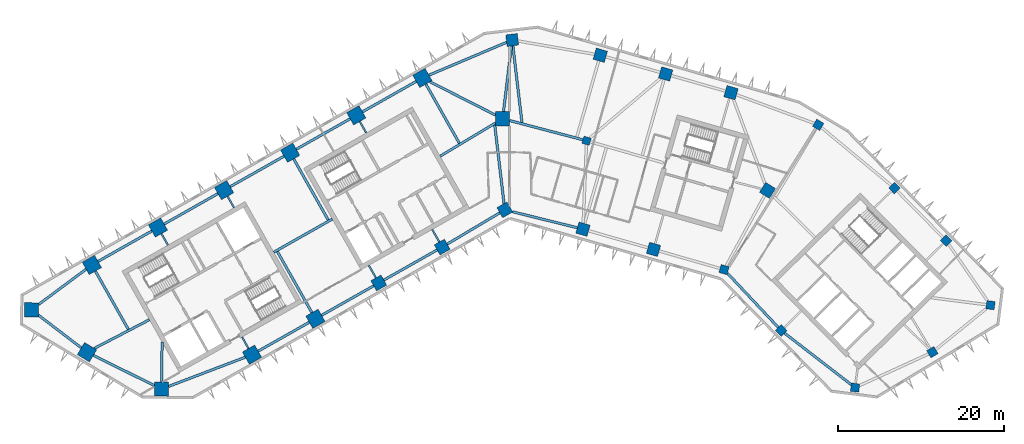
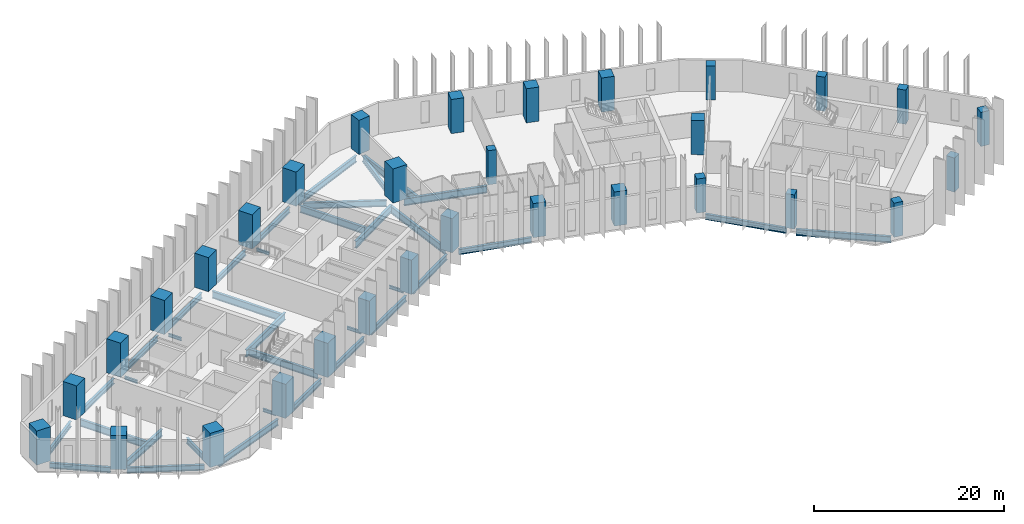
# One storey, part 1 of 11: 36 beams, 31 columns.
"""IFC4 building model written with IfcOpenShell, lengths in metres."""

from ifc_helpers import new_model, si_unit, direction, frame, origin, origin_2d, place, context, subcontext, project, spatial, rectangle, i_section, extrude, material, material_profile, profile_set, type_object, element, save


model = new_model("IFC4")

# Units and contexts
model_context = context("Model", 3, precision=1e-05, world=origin(), true_north=direction((0.0, 1.0)))
body_context = subcontext(model_context, "Body", "Model", "MODEL_VIEW")
ifc_project = project(units=[si_unit("LENGTHUNIT", "METRE"), si_unit("AREAUNIT", "SQUARE_METRE"), si_unit("VOLUMEUNIT", "CUBIC_METRE"), si_unit("PLANEANGLEUNIT", "RADIAN"), si_unit("MASSUNIT", "GRAM", prefix="KILO")], contexts=[model_context])

# Site, building, storey
site_placement = place(None, origin())
site = spatial("IfcSite", under=ifc_project, at=site_placement, CompositionType="ELEMENT")
building_placement = place(site_placement, origin())
building = spatial("IfcBuilding", under=site, at=building_placement, Name="Binnacle Exchange Tower", CompositionType="ELEMENT")
storey_placement = place(building_placement, frame((0.0, 0.0, 141.10009765625)))
storey = spatial("IfcBuildingStorey", under=building, at=storey_placement, Name="L29", CompositionType="ELEMENT", Elevation=141.10009765625)

# Columns
ifc_material_1 = material(Name="Concrete C60/75", Category="concrete")
ifc_material_profile_1 = material_profile(ifc_material_1, rectangle(XDim=0.89990234375, YDim=0.89990234375, at=origin_2d()), Name="Column 900x900 C60/75")
ifc_profile_set_1 = profile_set([ifc_material_profile_1], Name="Concrete C60/75")
column_type_1 = type_object("IfcColumnType", Name="Column 900x900 C60/75", PredefinedType="COLUMN", material=ifc_profile_set_1)
column_placement = place(storey_placement, frame((9.240966796875, 57.35009765625, 0.0), z_axis=(0.0, 0.0, 1.0), x_axis=(0.961261695938, -0.275637355817, 0.0)))
element("IfcColumn", 1, at=column_placement, inside=storey, type_object=column_type_1, Name="S:COL:C19:L29", PredefinedType="COLUMN", context=body_context, shape_type="SweptSolid", body=[
    extrude(rectangle(XDim=0.89990234375, YDim=0.89990234375, at=origin_2d()), origin(), (0.0, 0.0, 1.0), 4.39990234375),
])
ifc_material_2 = material(Name="Concrete C70/85", Category="concrete")
ifc_material_profile_2 = material_profile(ifc_material_2, rectangle(XDim=1.0, YDim=1.0, at=origin_2d()), Name="Mega column 1000x1000 C70/85")
ifc_profile_set_2 = profile_set([ifc_material_profile_2], Name="Concrete C70/85")
column_type_2 = type_object("IfcColumnType", Name="Mega column 1000x1000 C70/85", PredefinedType="COLUMN", material=ifc_profile_set_2)
for number, where, z_axis, x_axis, name in (
    (2, (37.0849609375, 59.262451171875, 0.0), (0.0, 0.0, 1.0), (-0.859406411501, 0.511293086077, 0.0), "S:COL:MC57:L29"),
    (3, (25.766845703125, 41.85986328125, 0.0), (0.0, 0.0, 1.0), (0.961261695938, -0.275637355817, 0.0), "S:COL:MC56:L29"),
    (4, (32.64111328125, 34.530029296875, 0.0), (0.0, 0.0, 1.0), (0.7009092643, -0.713250449154, 0.0), "S:COL:MC59:L29"),
    (5, (41.519775390625, 27.6748046875, 0.0), (0.0, 0.0, 1.0), (0.99200494968, -0.126198969136, 0.0), "S:COL:MC61:L29"),
    (6, (50.81201171875, 31.930908203125, 0.0), (0.0, 0.0, 1.0), (0.857167300702, 0.51503807491, 0.0), "S:COL:MC63:L29"),
    (7, (57.799072265625, 37.5810546875, 0.0), (0.0, 0.0, 1.0), (0.126198969136, 0.99200494968, 0.0), "S:COL:MC62:L29"),
    (8, (52.466796875, 45.33935546875, 0.0), (0.0, 0.0, 1.0), (-0.7009092643, 0.713250449154, 0.0), "S:COL:MC60:L29"),
    (9, (46.248291015625, 51.667236328125, 0.0), (0.0, 0.0, 1.0), (-0.7009092643, 0.713250449154, 0.0), "S:COL:MC58:L29"),
):
    element("IfcColumn", number, at=place(storey_placement, frame(where, z_axis=z_axis, x_axis=x_axis)), inside=storey, type_object=column_type_2, Name=name, PredefinedType="COLUMN", context=body_context, shape_type="SweptSolid", body=[
        extrude(rectangle(XDim=1.0, YDim=1.0, at=origin_2d()), origin(), (0.0, 0.0, 1.0), 4.39990234375),
    ])
ifc_material_profile_3 = material_profile(ifc_material_2, rectangle(XDim=1.39990234375, YDim=1.39990234375, at=origin_2d()), Name="Mega column 1400x1400 C70/85")
ifc_profile_set_3 = profile_set([ifc_material_profile_3], Name="Concrete C70/85")
column_type_3 = type_object("IfcColumnType", Name="Mega column 1400x1400 C70/85", PredefinedType="COLUMN", material=ifc_profile_set_3)
for number, where, z_axis, x_axis, name in (
    (10, (26.602783203125, 63.12353515625, 0.0), (0.0, 0.0, 1.0), (-0.961261695938, 0.275637355817, 0.0), "S:COL:MC52:L29"),
    (11, (18.746337890625, 65.376220703125, 0.0), (0.0, 0.0, 1.0), (-0.961261695938, 0.275637355817, 0.0), "S:COL:MC50:L29"),
    (12, (10.889892578125, 67.62890625, 0.0), (0.0, 0.0, 1.0), (-0.961261695938, 0.275637355817, 0.0), "S:COL:MC48:L29"),
    (13, (0.300048828125, 69.464111328125, 0.0), (0.0, 0.0, 1.0), (-0.993068456955, -0.117537397458, 0.0), "S:COL:MC47:L29"),
    (14, (-15.736328125, 40.257080078125, 0.0), (0.0, 0.0, 1.0), (0.87035569594, 0.492423560103, 0.0), "S:COL:MC24:L29"),
    (15, (-8.116943359375, 44.568115234375, 0.0), (0.0, 0.0, 1.0), (0.87035569594, 0.492423560103, 0.0), "S:COL:MC35:L29"),
    (16, (-0.5908203125, 49.04443359375, 0.0), (0.0, 0.0, 1.0), (0.87035569594, 0.492423560103, 0.0), "S:COL:MC46:L29"),
    (17, (8.8095703125, 46.722412109375, 0.0), (0.0, 0.0, 1.0), (0.961261695938, -0.275637355817, 0.0), "S:COL:MC49:L29"),
    (18, (17.2880859375, 44.291015625, 0.0), (0.0, 0.0, 1.0), (0.961261695938, -0.275637355817, 0.0), "S:COL:MC51:L29"),
    (19, (30.989501953125, 51.38623046875, 0.0), (0.0, 0.0, 1.0), (0.529919264233, 0.848048096156, 0.0), "S:COL:MC55:L29"),
):
    element("IfcColumn", number, at=place(storey_placement, frame(where, z_axis=z_axis, x_axis=x_axis)), inside=storey, type_object=column_type_3, Name=name, PredefinedType="COLUMN", context=body_context, shape_type="SweptSolid", body=[
        extrude(rectangle(XDim=1.39990234375, YDim=1.39990234375, at=origin_2d()), origin(), (0.0, 0.0, 1.0), 4.39990234375),
    ])
ifc_material_profile_4 = material_profile(ifc_material_2, rectangle(XDim=1.699951171875, YDim=1.699951171875, at=origin_2d()), Name="Mega column 1700x1700 C70/85")
ifc_profile_set_4 = profile_set([ifc_material_profile_4], Name="Concrete C70/85")
column_type_4 = type_object("IfcColumnType", Name="Mega column 1700x1700 C70/85", PredefinedType="COLUMN", material=ifc_profile_set_4)
for number, where, z_axis, x_axis, name in (
    (20, (-10.4951171875, 64.901611328125, 0.0), (0.0, 0.0, 1.0), (-0.87035569594, -0.492423560103, 0.0), "S:COL:MC38:L29"),
    (21, (-18.44140625, 60.406005859375, 0.0), (0.0, 0.0, 1.0), (-0.87035569594, -0.492423560103, 0.0), "S:COL:MC29:L29"),
    (22, (-26.3876953125, 55.91015625, 0.0), (0.0, 0.0, 1.0), (-0.87035569594, -0.492423560103, 0.0), "S:COL:MC21:L29"),
    (23, (-34.333740234375, 51.414306640625, 0.0), (0.0, 0.0, 1.0), (-0.87035569594, -0.492423560103, 0.0), "S:COL:MC13:L29"),
    (24, (-42.280029296875, 46.918701171875, 0.0), (0.0, 0.0, 1.0), (-0.87035569594, -0.492423560103, 0.0), "S:COL:MC08:L29"),
    (25, (-50.226318359375, 42.4228515625, 0.0), (0.0, 0.0, 1.0), (-0.87035569594, -0.492423560103, 0.0), "S:COL:MC04:L29"),
    (26, (-57.492919921875, 37.02734375, 0.0), (0.0, 0.0, 1.0), (-0.013089595571, -0.999914327574, 0.0), "S:COL:MC02:L29"),
    (27, (-50.81201171875, 31.930908203125, 0.0), (0.0, 0.0, 1.0), (0.857167300702, -0.51503807491, 0.0), "S:COL:MC01:L29"),
    (28, (-41.857666015625, 27.494873046875, 0.0), (0.0, 0.0, 1.0), (0.999914327574, -0.013089595571, 0.0), "S:COL:MC03:L29"),
    (29, (-30.9755859375, 31.63525390625, 0.0), (0.0, 0.0, 1.0), (0.87035569594, 0.492423560103, 0.0), "S:COL:MC07:L29"),
    (30, (-23.35595703125, 35.9462890625, 0.0), (0.0, 0.0, 1.0), (0.87035569594, 0.492423560103, 0.0), "S:COL:MC16:L29"),
    (31, (-0.85009765625, 60.0, 0.0), (0.0, 0.0, 1.0), (0.0, 1.0, 0.0), "S:COL:MC45:L29"),
):
    element("IfcColumn", number, at=place(storey_placement, frame(where, z_axis=z_axis, x_axis=x_axis)), inside=storey, type_object=column_type_4, Name=name, PredefinedType="COLUMN", context=body_context, shape_type="SweptSolid", body=[
        extrude(rectangle(XDim=1.699951171875, YDim=1.699951171875, at=origin_2d()), origin(), (0.0, 0.0, 1.0), 4.39990234375),
    ])

# Beams
ifc_material_3 = material(Name="Steel S355 (SHN355)", Category="steel")
ifc_material_profile_5 = material_profile(ifc_material_3, i_section(OverallWidth=0.300048828125, OverallDepth=0.699951171875, WebThickness=0.012939453125, FlangeThickness=0.02392578125, FilletRadius=0.028076171875, at=origin_2d()), Name="H 700x300x13x24")
ifc_profile_set_5 = profile_set([ifc_material_profile_5], Name="Steel S355 (SHN355)")
beam_type_1 = type_object("IfcBeamType", Name="Edge girder H 700x300x13x24 Steel S355 (SHN355)", PredefinedType="SPANDREL", material=ifc_profile_set_5)
beam_1_placement = place(storey_placement, frame((-56.6513671875, 36.38525390625, -0.670166015625), z_axis=(0.795093040263, -0.606487474994, 0.0), x_axis=(0.606487474994, 0.795093040263, 0.0)))
element("IfcBeam", 32, at=beam_1_placement, inside=storey, type_object=beam_type_1, Name="S:BM:edge:L29:015", PredefinedType="SPANDREL", context=body_context, shape_type="SweptSolid", body=[
    extrude(i_section(OverallWidth=0.300048828125, OverallDepth=0.699951171875, WebThickness=0.012939453125, FlangeThickness=0.02392578125, FilletRadius=0.028076171875, at=origin_2d()), origin(), (0.0, 0.0, 1.0), 6.489013671875),
])
beam_2_placement = place(storey_placement, frame((-50.913818359375, 41.912353515625, -0.670166015625), z_axis=(-0.80288535334, -0.59613346609, 0.0), x_axis=(0.59613346609, -0.80288535334, 0.0)))
element("IfcBeam", 33, at=beam_2_placement, inside=storey, type_object=beam_type_1, Name="S:BM:edge:L29:016", PredefinedType="SPANDREL", context=body_context, shape_type="SweptSolid", body=[
    extrude(i_section(OverallWidth=0.300048828125, OverallDepth=0.699951171875, WebThickness=0.012939453125, FlangeThickness=0.02392578125, FilletRadius=0.028076171875, at=origin_2d()), origin(), (0.0, 0.0, 1.0), 7.125244140625),
])
beam_3_placement = place(storey_placement, frame((-43.019775390625, 46.5, -0.670166015625), z_axis=(-0.870364477798, -0.492408037898, 0.0), x_axis=(0.492408037898, -0.870364477798, 0.0)))
element("IfcBeam", 34, at=beam_3_placement, inside=storey, type_object=beam_type_1, Name="S:BM:edge:L29:018", PredefinedType="SPANDREL", context=body_context, shape_type="SweptSolid", body=[
    extrude(i_section(OverallWidth=0.300048828125, OverallDepth=0.699951171875, WebThickness=0.012939453125, FlangeThickness=0.02392578125, FilletRadius=0.028076171875, at=origin_2d()), origin(), (0.0, 0.0, 1.0), 7.4296875),
])
beam_4_placement = place(storey_placement, frame((-35.073486328125, 50.995849609375, -0.670166015625), z_axis=(-0.870372444894, -0.492393955253, 0.0), x_axis=(0.492393955253, -0.870372444894, 0.0)))
element("IfcBeam", 35, at=beam_4_placement, inside=storey, type_object=beam_type_1, Name="S:BM:edge:L29:020", PredefinedType="SPANDREL", context=body_context, shape_type="SweptSolid", body=[
    extrude(i_section(OverallWidth=0.300048828125, OverallDepth=0.699951171875, WebThickness=0.012939453125, FlangeThickness=0.02392578125, FilletRadius=0.028076171875, at=origin_2d()), origin(), (0.0, 0.0, 1.0), 7.429931640625),
])
beam_5_placement = place(storey_placement, frame((-30.23583984375, 32.053955078125, -0.670166015625), z_axis=(0.870373276953, 0.492392484473, 0.0), x_axis=(-0.492392484473, 0.870373276953, 0.0)))
element("IfcBeam", 36, at=beam_5_placement, inside=storey, type_object=beam_type_1, Name="S:BM:edge:L29:021", PredefinedType="SPANDREL", context=body_context, shape_type="SweptSolid", body=[
    extrude(i_section(OverallWidth=0.300048828125, OverallDepth=0.699951171875, WebThickness=0.012939453125, FlangeThickness=0.02392578125, FilletRadius=0.028076171875, at=origin_2d()), origin(), (0.0, 0.0, 1.0), 7.0546875),
])
beam_6_placement = place(storey_placement, frame((-27.12744140625, 55.49169921875, -0.670166015625), z_axis=(-0.870350394687, -0.492432929919, 0.0), x_axis=(0.492432929919, -0.870350394687, 0.0)))
element("IfcBeam", 37, at=beam_6_placement, inside=storey, type_object=beam_type_1, Name="S:BM:edge:L29:022", PredefinedType="SPANDREL", context=body_context, shape_type="SweptSolid", body=[
    extrude(i_section(OverallWidth=0.300048828125, OverallDepth=0.699951171875, WebThickness=0.012939453125, FlangeThickness=0.02392578125, FilletRadius=0.028076171875, at=origin_2d()), origin(), (0.0, 0.0, 1.0), 7.429931640625),
])
beam_7_placement = place(storey_placement, frame((-22.6162109375, 36.36474609375, -0.670166015625), z_axis=(0.870345646157, 0.492441322612, 0.0), x_axis=(-0.492441322612, 0.870345646157, 0.0)))
element("IfcBeam", 38, at=beam_7_placement, inside=storey, type_object=beam_type_1, Name="S:BM:edge:L29:023", PredefinedType="SPANDREL", context=body_context, shape_type="SweptSolid", body=[
    extrude(i_section(OverallWidth=0.300048828125, OverallDepth=0.699951171875, WebThickness=0.012939453125, FlangeThickness=0.02392578125, FilletRadius=0.028076171875, at=origin_2d()), origin(), (0.0, 0.0, 1.0), 7.20458984375),
])
beam_8_placement = place(storey_placement, frame((-19.18115234375, 59.9873046875, -0.670166015625), z_axis=(-0.870364477798, -0.492408037898, 0.0), x_axis=(0.492408037898, -0.870364477798, 0.0)))
element("IfcBeam", 39, at=beam_8_placement, inside=storey, type_object=beam_type_1, Name="S:BM:edge:L29:024", PredefinedType="SPANDREL", context=body_context, shape_type="SweptSolid", body=[
    extrude(i_section(OverallWidth=0.300048828125, OverallDepth=0.699951171875, WebThickness=0.012939453125, FlangeThickness=0.02392578125, FilletRadius=0.028076171875, at=origin_2d()), origin(), (0.0, 0.0, 1.0), 7.4296875),
])
beam_9_placement = place(storey_placement, frame((-15.127197265625, 40.601806640625, -0.670166015625), z_axis=(0.870355645737, 0.492423648837, 0.0), x_axis=(-0.492423648837, 0.870355645737, 0.0)))
element("IfcBeam", 40, at=beam_9_placement, inside=storey, type_object=beam_type_1, Name="S:BM:edge:L29:025", PredefinedType="SPANDREL", context=body_context, shape_type="SweptSolid", body=[
    extrude(i_section(OverallWidth=0.300048828125, OverallDepth=0.699951171875, WebThickness=0.012939453125, FlangeThickness=0.02392578125, FilletRadius=0.028076171875, at=origin_2d()), origin(), (0.0, 0.0, 1.0), 7.3544921875),
])
beam_10_placement = place(storey_placement, frame((-11.23486328125, 64.483154296875, -0.670166015625), z_axis=(-0.870364477798, -0.492408037898, 0.0), x_axis=(0.492408037898, -0.870364477798, 0.0)))
element("IfcBeam", 41, at=beam_10_placement, inside=storey, type_object=beam_type_1, Name="S:BM:edge:L29:026", PredefinedType="SPANDREL", context=body_context, shape_type="SweptSolid", body=[
    extrude(i_section(OverallWidth=0.300048828125, OverallDepth=0.699951171875, WebThickness=0.012939453125, FlangeThickness=0.02392578125, FilletRadius=0.028076171875, at=origin_2d()), origin(), (0.0, 0.0, 1.0), 7.4296875),
])
beam_11_placement = place(storey_placement, frame((-7.51513671875, 44.926025390625, -0.670166015625), z_axis=(0.859466137143, 0.511192682952, 0.0), x_axis=(-0.511192682952, 0.859466137143, 0.0)))
element("IfcBeam", 42, at=beam_11_placement, inside=storey, type_object=beam_type_1, Name="S:BM:edge:L29:027", PredefinedType="SPANDREL", context=body_context, shape_type="SweptSolid", body=[
    extrude(i_section(OverallWidth=0.300048828125, OverallDepth=0.699951171875, WebThickness=0.012939453125, FlangeThickness=0.02392578125, FilletRadius=0.028076171875, at=origin_2d()), origin(), (0.0, 0.0, 1.0), 7.356201171875),
])
beam_12_placement = place(storey_placement, frame((0.343994140625, 48.8134765625, -0.670166015625), z_axis=(0.970820959584, -0.239805472064, 0.0), x_axis=(0.239805472064, 0.970820959584, 0.0)))
element("IfcBeam", 43, at=beam_12_placement, inside=storey, type_object=beam_type_1, Name="S:BM:edge:L29:029", PredefinedType="SPANDREL", context=body_context, shape_type="SweptSolid", body=[
    extrude(i_section(OverallWidth=0.300048828125, OverallDepth=0.699951171875, WebThickness=0.012939453125, FlangeThickness=0.02392578125, FilletRadius=0.028076171875, at=origin_2d()), origin(), (0.0, 0.0, 1.0), 8.019287109375),
])
ifc_material_profile_6 = material_profile(ifc_material_3, i_section(OverallWidth=0.302001953125, OverallDepth=0.7080078125, WebThickness=0.014892578125, FlangeThickness=0.028076171875, FilletRadius=0.028076171875, at=origin_2d()), Name="H 708x302x15x28")
ifc_profile_set_6 = profile_set([ifc_material_profile_6], Name="Steel S355 (SHN355)")
beam_type_2 = type_object("IfcBeamType", Name="Edge girder H 708x302x15x28 Steel S355 (SHN355)", PredefinedType="SPANDREL", material=ifc_profile_set_6)
beam_13_placement = place(storey_placement, frame((-50.0478515625, 31.55224609375, -0.674072265625), z_axis=(0.896059216286, -0.443934545749, 0.0), x_axis=(0.443934545749, 0.896059216286, 0.0)))
element("IfcBeam", 44, at=beam_13_placement, inside=storey, type_object=beam_type_2, Name="S:BM:edge:L29:017", PredefinedType="SPANDREL", context=body_context, shape_type="SweptSolid", body=[
    extrude(i_section(OverallWidth=0.302001953125, OverallDepth=0.7080078125, WebThickness=0.014892578125, FlangeThickness=0.028076171875, FilletRadius=0.028076171875, at=origin_2d()), origin(), (0.0, 0.0, 1.0), 8.197509765625),
])
beam_14_placement = place(storey_placement, frame((26.165283203125, 41.43505859375, -0.674072265625), z_axis=(0.684076068391, -0.729410674898, 0.0), x_axis=(0.729410674898, 0.684076068391, 0.0)))
element("IfcBeam", 45, at=beam_14_placement, inside=storey, type_object=beam_type_2, Name="S:BM:edge:L29:035", PredefinedType="SPANDREL", context=body_context, shape_type="SweptSolid", body=[
    extrude(i_section(OverallWidth=0.302001953125, OverallDepth=0.7080078125, WebThickness=0.014892578125, FlangeThickness=0.028076171875, FilletRadius=0.028076171875, at=origin_2d()), origin(), (0.0, 0.0, 1.0), 8.966552734375),
])
ifc_material_profile_7 = material_profile(ifc_material_3, i_section(OverallWidth=0.302001953125, OverallDepth=0.80810546875, WebThickness=0.01611328125, FlangeThickness=0.030029296875, FilletRadius=0.028076171875, at=origin_2d()), Name="H 808x302x16x30")
ifc_profile_set_7 = profile_set([ifc_material_profile_7], Name="Steel S355 (SHN355)")
beam_type_3 = type_object("IfcBeamType", Name="Edge girder H 808x302x16x30 Steel S355 (SHN355)", PredefinedType="SPANDREL", material=ifc_profile_set_7)
beam_15_placement = place(storey_placement, frame((-41.00341796875, 27.81982421875, -0.72412109375), z_axis=(0.934628738252, 0.355624973297, 0.0), x_axis=(-0.355624973297, 0.934628738252, 0.0)))
element("IfcBeam", 46, at=beam_15_placement, inside=storey, type_object=beam_type_3, Name="S:BM:edge:L29:019", PredefinedType="SPANDREL", context=body_context, shape_type="SweptSolid", body=[
    extrude(i_section(OverallWidth=0.302001953125, OverallDepth=0.80810546875, WebThickness=0.01611328125, FlangeThickness=0.030029296875, FilletRadius=0.028076171875, at=origin_2d()), origin(), (0.0, 0.0, 1.0), 9.869384765625),
])
beam_16_placement = place(storey_placement, frame((-0.37109375, 69.180419921875, -0.72412109375), z_axis=(-0.921114465748, -0.389291845523, 0.0), x_axis=(0.389291845523, -0.921114465748, 0.0)))
element("IfcBeam", 47, at=beam_16_placement, inside=storey, type_object=beam_type_3, Name="S:BM:edge:L29:028", PredefinedType="SPANDREL", context=body_context, shape_type="SweptSolid", body=[
    extrude(i_section(OverallWidth=0.302001953125, OverallDepth=0.80810546875, WebThickness=0.01611328125, FlangeThickness=0.030029296875, FilletRadius=0.028076171875, at=origin_2d()), origin(), (0.0, 0.0, 1.0), 10.13525390625),
])
beam_17_placement = place(storey_placement, frame((33.040771484375, 34.2216796875, -0.72412109375), z_axis=(0.791519159984, -0.611144352324, 0.0), x_axis=(0.611144352324, 0.791519159984, 0.0)))
element("IfcBeam", 48, at=beam_17_placement, inside=storey, type_object=beam_type_3, Name="S:BM:edge:L29:036", PredefinedType="SPANDREL", context=body_context, shape_type="SweptSolid", body=[
    extrude(i_section(OverallWidth=0.302001953125, OverallDepth=0.80810546875, WebThickness=0.01611328125, FlangeThickness=0.030029296875, FilletRadius=0.028076171875, at=origin_2d()), origin(), (0.0, 0.0, 1.0), 10.13232421875),
])
ifc_material_profile_8 = material_profile(ifc_material_3, i_section(OverallWidth=0.199951171875, OverallDepth=0.39990234375, WebThickness=0.008056640625, FlangeThickness=0.012939453125, FilletRadius=0.01611328125, at=origin_2d()), Name="H 400x200x8x13")
ifc_profile_set_8 = profile_set([ifc_material_profile_8], Name="Steel S355 (SHN355)")
beam_type_4 = type_object("IfcBeamType", Name="Floor beam H 400x200x8x13 Steel S355 (SHN355)", PredefinedType="BEAM", material=ifc_profile_set_8)
beam_18_placement = place(storey_placement, frame((-41.861328125, 46.178955078125, -0.52001953125), z_axis=(0.492366981934, -0.870387703901, 0.0), x_axis=(0.870387703901, 0.492366981934, 0.0)))
element("IfcBeam", 49, at=beam_18_placement, inside=storey, type_object=beam_type_4, Name="S:BM:cross:L29:044", PredefinedType="BEAM", context=body_context, shape_type="SweptSolid", body=[
    extrude(i_section(OverallWidth=0.199951171875, OverallDepth=0.39990234375, WebThickness=0.008056640625, FlangeThickness=0.012939453125, FilletRadius=0.01611328125, at=origin_2d()), origin(), (0.0, 0.0, 1.0), 1.584228515625),
])
beam_19_placement = place(storey_placement, frame((-33.915283203125, 50.674560546875, -0.52001953125), z_axis=(0.492483715062, -0.870321659158, 0.0), x_axis=(0.870321659158, 0.492483715062, 0.0)))
element("IfcBeam", 50, at=beam_19_placement, inside=storey, type_object=beam_type_4, Name="S:BM:cross:L29:046", PredefinedType="BEAM", context=body_context, shape_type="SweptSolid", body=[
    extrude(i_section(OverallWidth=0.199951171875, OverallDepth=0.39990234375, WebThickness=0.008056640625, FlangeThickness=0.012939453125, FilletRadius=0.01611328125, at=origin_2d()), origin(), (0.0, 0.0, 1.0), 1.58447265625),
])
for number, where, z_axis, x_axis, name in (
    (51, (-31.394287109375, 32.375, -0.52001953125), (-0.492366981934, 0.870387703901, 0.0), (-0.870387703901, -0.492366981934, 0.0), "S:BM:cross:L29:047"),
    (52, (-18.022705078125, 59.666259765625, -0.52001953125), (0.492366981934, -0.870387703901, 0.0), (0.870387703901, 0.492366981934, 0.0), "S:BM:cross:L29:050"),
):
    element("IfcBeam", number, at=place(storey_placement, frame(where, z_axis=z_axis, x_axis=x_axis)), inside=storey, type_object=beam_type_4, Name=name, PredefinedType="BEAM", context=body_context, shape_type="SweptSolid", body=[
        extrude(i_section(OverallWidth=0.199951171875, OverallDepth=0.39990234375, WebThickness=0.008056640625, FlangeThickness=0.012939453125, FilletRadius=0.01611328125, at=origin_2d()), origin(), (0.0, 0.0, 1.0), 1.584228515625),
    ])
for number, where, z_axis, x_axis, name in (
    (53, (-16.0810546875, 40.866455078125, -0.52001953125), (-0.492405102951, 0.870366138236, 0.0), (-0.870366138236, -0.492405102951, 0.0), "S:BM:cross:L29:051"),
    (54, (-8.461669921875, 45.17724609375, -0.52001953125), (-0.492405102951, 0.870366138236, 0.0), (-0.870366138236, -0.492405102951, 0.0), "S:BM:cross:L29:053"),
):
    element("IfcBeam", number, at=place(storey_placement, frame(where, z_axis=z_axis, x_axis=x_axis)), inside=storey, type_object=beam_type_4, Name=name, PredefinedType="BEAM", context=body_context, shape_type="SweptSolid", body=[
        extrude(i_section(OverallWidth=0.199951171875, OverallDepth=0.39990234375, WebThickness=0.008056640625, FlangeThickness=0.012939453125, FilletRadius=0.01611328125, at=origin_2d()), origin(), (0.0, 0.0, 1.0), 1.734375),
    ])
ifc_material_profile_9 = material_profile(ifc_material_3, i_section(OverallWidth=0.300048828125, OverallDepth=0.699951171875, WebThickness=0.012939453125, FlangeThickness=0.02392578125, FilletRadius=0.028076171875, at=origin_2d()), Name="H 700x300x13x24")
ifc_profile_set_9 = profile_set([ifc_material_profile_9], Name="Steel S355 (SHN355)")
beam_type_5 = type_object("IfcBeamType", Name="Floor beam H 700x300x13x24 Steel S355 (SHN355)", PredefinedType="BEAM", material=ifc_profile_set_9)
beam_20_placement = place(storey_placement, frame((-41.8466796875, 28.3447265625, -0.670166015625), z_axis=(0.013120628196, 0.999913920853, 0.0), x_axis=(-0.999913920853, 0.013120628196, 0.0)))
element("IfcBeam", 55, at=beam_20_placement, inside=storey, type_object=beam_type_5, Name="S:BM:cross:L29:045", PredefinedType="BEAM", context=body_context, shape_type="SweptSolid", body=[
    extrude(i_section(OverallWidth=0.300048828125, OverallDepth=0.699951171875, WebThickness=0.012939453125, FlangeThickness=0.02392578125, FilletRadius=0.028076171875, at=origin_2d()), origin(), (0.0, 0.0, 1.0), 4.80078125),
])
ifc_material_profile_10 = material_profile(ifc_material_3, i_section(OverallWidth=0.300048828125, OverallDepth=0.89990234375, WebThickness=0.01611328125, FlangeThickness=0.028076171875, FilletRadius=0.028076171875, at=origin_2d()), Name="H 900x300x16x28")
ifc_profile_set_10 = profile_set([ifc_material_profile_10], Name="Steel S355 (SHN355)")
beam_type_6 = type_object("IfcBeamType", Name="Floor beam H 900x300x16x28 Steel S355 (SHN355)", PredefinedType="BEAM", material=ifc_profile_set_10)
beam_21_placement = place(storey_placement, frame((-49.8076171875, 41.68310546875, -0.77001953125), z_axis=(0.492423370769, -0.87035580306, 0.0), x_axis=(0.87035580306, 0.492423370769, 0.0)))
element("IfcBeam", 56, at=beam_21_placement, inside=storey, type_object=beam_type_6, Name="S:BM:cross:L29:043", PredefinedType="BEAM", context=body_context, shape_type="SweptSolid", body=[
    extrude(i_section(OverallWidth=0.300048828125, OverallDepth=0.89990234375, WebThickness=0.01611328125, FlangeThickness=0.028076171875, FilletRadius=0.028076171875, at=origin_2d()), origin(), (0.0, 0.0, 1.0), 8.041259765625),
])
beam_22_placement = place(storey_placement, frame((-10.076416015625, 64.161865234375, -0.77001953125), z_axis=(0.492410737926, -0.870362950254, 0.0), x_axis=(0.870362950254, 0.492410737926, 0.0)))
element("IfcBeam", 57, at=beam_22_placement, inside=storey, type_object=beam_type_6, Name="S:BM:cross:L29:052", PredefinedType="BEAM", context=body_context, shape_type="SweptSolid", body=[
    extrude(i_section(OverallWidth=0.300048828125, OverallDepth=0.89990234375, WebThickness=0.01611328125, FlangeThickness=0.028076171875, FilletRadius=0.028076171875, at=origin_2d()), origin(), (0.0, 0.0, 1.0), 8.16943359375),
])
ifc_material_profile_11 = material_profile(ifc_material_3, i_section(OverallWidth=0.302001953125, OverallDepth=0.912109375, WebThickness=0.01806640625, FlangeThickness=0.033935546875, FilletRadius=0.028076171875, at=origin_2d()), Name="H 912x302x18x34")
ifc_profile_set_11 = profile_set([ifc_material_profile_11], Name="Steel S355 (SHN355)")
beam_type_7 = type_object("IfcBeamType", Name="Floor beam H 912x302x18x34 Steel S355 (SHN355)", PredefinedType="BEAM", material=ifc_profile_set_11)
for number, where, z_axis, x_axis, name in (
    (58, (-25.968994140625, 55.17041015625, -0.776123046875), (0.492409177884, -0.870363832851, 0.0), (0.870363832851, 0.492409177884, 0.0), "S:BM:cross:L29:048"),
    (59, (-23.774658203125, 36.68603515625, -0.776123046875), (-0.492409177884, 0.870363832851, 0.0), (-0.870363832851, -0.492409177884, 0.0), "S:BM:cross:L29:049"),
):
    element("IfcBeam", number, at=place(storey_placement, frame(where, z_axis=z_axis, x_axis=x_axis)), inside=storey, type_object=beam_type_7, Name=name, PredefinedType="BEAM", context=body_context, shape_type="SweptSolid", body=[
        extrude(i_section(OverallWidth=0.302001953125, OverallDepth=0.912109375, WebThickness=0.01806640625, FlangeThickness=0.033935546875, FilletRadius=0.028076171875, at=origin_2d()), origin(), (0.0, 0.0, 1.0), 8.43408203125),
    ])
ifc_material_profile_12 = material_profile(ifc_material_3, i_section(OverallWidth=0.302978515625, OverallDepth=0.91796875, WebThickness=0.01904296875, FlangeThickness=0.037109375, FilletRadius=0.028076171875, at=origin_2d()), Name="H 918x303x19x37")
ifc_profile_set_12 = profile_set([ifc_material_profile_12], Name="Steel S355 (SHN355)")
beam_type_8 = type_object("IfcBeamType", Name="Floor beam H 918x303x19x37 Steel S355 (SHN355)", PredefinedType="BEAM", material=ifc_profile_set_12)
beam_23_placement = place(storey_placement, frame((-0.68017578125, 49.79833984375, -0.779052734375), z_axis=(-0.11752294526, 0.993070167379, 0.0), x_axis=(-0.993070167379, -0.11752294526, 0.0)))
element("IfcBeam", 60, at=beam_23_placement, inside=storey, type_object=beam_type_8, Name="S:BM:cross:L29:054", PredefinedType="BEAM", context=body_context, shape_type="SweptSolid", body=[
    extrude(i_section(OverallWidth=0.302978515625, OverallDepth=0.91796875, WebThickness=0.01904296875, FlangeThickness=0.037109375, FilletRadius=0.028076171875, at=origin_2d()), origin(), (0.0, 0.0, 1.0), 9.537353515625),
])
beam_24_placement = place(storey_placement, frame((0.38232421875, 68.76904296875, -0.779052734375), z_axis=(0.117557103339, -0.993066124412, 0.0), x_axis=(0.993066124412, 0.117557103339, 0.0)))
element("IfcBeam", 61, at=beam_24_placement, inside=storey, type_object=beam_type_8, Name="S:BM:cross:L29:055", PredefinedType="BEAM", context=body_context, shape_type="SweptSolid", body=[
    extrude(i_section(OverallWidth=0.302978515625, OverallDepth=0.91796875, WebThickness=0.01904296875, FlangeThickness=0.037109375, FilletRadius=0.028076171875, at=origin_2d()), origin(), (0.0, 0.0, 1.0), 9.2998046875),
])
ifc_material_profile_13 = material_profile(ifc_material_3, i_section(OverallWidth=0.302001953125, OverallDepth=0.7080078125, WebThickness=0.014892578125, FlangeThickness=0.028076171875, FilletRadius=0.028076171875, at=origin_2d()), Name="H 708x302x15x28")
ifc_profile_set_13 = profile_set([ifc_material_profile_13], Name="Steel S355 (SHN355)")
beam_type_9 = type_object("IfcBeamType", Name="Spine girder H 708x302x15x28 Steel S355 (SHN355)", PredefinedType="BEAM", material=ifc_profile_set_13)
beam_25_placement = place(storey_placement, frame((-0.74658203125, 60.85009765625, -0.674072265625), z_axis=(0.120612669289, 0.992699644408, 0.0), x_axis=(-0.992699644408, 0.120612669289, 0.0)))
element("IfcBeam", 62, at=beam_25_placement, inside=storey, type_object=beam_type_9, Name="S:BM:spine:L29:005", PredefinedType="BEAM", context=body_context, shape_type="SweptSolid", body=[
    extrude(i_section(OverallWidth=0.302001953125, OverallDepth=0.7080078125, WebThickness=0.014892578125, FlangeThickness=0.028076171875, FilletRadius=0.028076171875, at=origin_2d()), origin(), (0.0, 0.0, 1.0), 7.95703125),
])
ifc_material_profile_14 = material_profile(ifc_material_3, i_section(OverallWidth=0.302001953125, OverallDepth=0.80810546875, WebThickness=0.01611328125, FlangeThickness=0.030029296875, FilletRadius=0.028076171875, at=origin_2d()), Name="H 808x302x16x30")
ifc_profile_set_14 = profile_set([ifc_material_profile_14], Name="Steel S355 (SHN355)")
beam_type_10 = type_object("IfcBeamType", Name="Spine girder H 808x302x16x30 Steel S355 (SHN355)", PredefinedType="BEAM", material=ifc_profile_set_14)
beam_26_placement = place(storey_placement, frame((-1.699951171875, 60.431884765625, -0.72412109375), z_axis=(-0.891471296315, 0.45307717648, 0.0), x_axis=(-0.45307717648, -0.891471296315, 0.0)))
element("IfcBeam", 63, at=beam_26_placement, inside=storey, type_object=beam_type_10, Name="S:BM:spine:L29:004", PredefinedType="BEAM", context=body_context, shape_type="SweptSolid", body=[
    extrude(i_section(OverallWidth=0.302001953125, OverallDepth=0.80810546875, WebThickness=0.01611328125, FlangeThickness=0.030029296875, FilletRadius=0.028076171875, at=origin_2d()), origin(), (0.0, 0.0, 1.0), 8.845703125),
])
ifc_material_profile_15 = material_profile(ifc_material_3, i_section(OverallWidth=0.300048828125, OverallDepth=0.89990234375, WebThickness=0.01611328125, FlangeThickness=0.028076171875, FilletRadius=0.028076171875, at=origin_2d()), Name="H 900x300x16x28")
ifc_profile_set_15 = profile_set([ifc_material_profile_15], Name="Steel S355 (SHN355)")
beam_type_11 = type_object("IfcBeamType", Name="Spine girder H 900x300x16x28 Steel S355 (SHN355)", PredefinedType="BEAM", material=ifc_profile_set_15)
beam_27_placement = place(storey_placement, frame((-49.927734375, 32.391357421875, -0.77001953125), z_axis=(0.886979965344, 0.461807904954, 0.0), x_axis=(-0.461807904954, 0.886979965344, 0.0)))
element("IfcBeam", 64, at=beam_27_placement, inside=storey, type_object=beam_type_11, Name="S:BM:spine:L29:001", PredefinedType="BEAM", context=body_context, shape_type="SweptSolid", body=[
    extrude(i_section(OverallWidth=0.300048828125, OverallDepth=0.89990234375, WebThickness=0.01611328125, FlangeThickness=0.028076171875, FilletRadius=0.028076171875, at=origin_2d()), origin(), (0.0, 0.0, 1.0), 7.463623046875),
])
beam_28_placement = place(storey_placement, frame((-8.36328125, 55.489990234375, -0.77001953125), z_axis=(0.857393122678, 0.514662057261, 0.0), x_axis=(-0.514662057261, 0.857393122678, 0.0)))
element("IfcBeam", 65, at=beam_28_placement, inside=storey, type_object=beam_type_11, Name="S:BM:spine:L29:003", PredefinedType="BEAM", context=body_context, shape_type="SweptSolid", body=[
    extrude(i_section(OverallWidth=0.300048828125, OverallDepth=0.89990234375, WebThickness=0.01611328125, FlangeThickness=0.028076171875, FilletRadius=0.028076171875, at=origin_2d()), origin(), (0.0, 0.0, 1.0), 7.771728515625),
])
ifc_material_profile_16 = material_profile(ifc_material_3, i_section(OverallWidth=0.302001953125, OverallDepth=0.912109375, WebThickness=0.01806640625, FlangeThickness=0.033935546875, FilletRadius=0.028076171875, at=origin_2d()), Name="H 912x302x18x34")
ifc_profile_set_16 = profile_set([ifc_material_profile_16], Name="Steel S355 (SHN355)")
beam_type_12 = type_object("IfcBeamType", Name="Spine girder H 912x302x18x34 Steel S355 (SHN355)", PredefinedType="BEAM", material=ifc_profile_set_16)
beam_29_placement = place(storey_placement, frame((-28.365478515625, 43.951416015625, -0.776123046875), z_axis=(0.870350319004, 0.492433063684, 0.0), x_axis=(-0.492433063684, 0.870350319004, 0.0)))
element("IfcBeam", 66, at=beam_29_placement, inside=storey, type_object=beam_type_12, Name="S:BM:spine:L29:002", PredefinedType="BEAM", context=body_context, shape_type="SweptSolid", body=[
    extrude(i_section(OverallWidth=0.302001953125, OverallDepth=0.912109375, WebThickness=0.01806640625, FlangeThickness=0.033935546875, FilletRadius=0.028076171875, at=origin_2d()), origin(), (0.0, 0.0, 1.0), 8.0908203125),
])
ifc_material_profile_17 = material_profile(ifc_material_3, i_section(OverallWidth=0.302978515625, OverallDepth=0.91796875, WebThickness=0.01904296875, FlangeThickness=0.037109375, FilletRadius=0.028076171875, at=origin_2d()), Name="H 918x303x19x37")
ifc_profile_set_17 = profile_set([ifc_material_profile_17], Name="Steel S355 (SHN355)")
beam_type_13 = type_object("IfcBeamType", Name="Spine girder H 918x303x19x37 Steel S355 (SHN355)", PredefinedType="BEAM", material=ifc_profile_set_17)
beam_30_placement = place(storey_placement, frame((0.0, 59.77685546875, -0.779052734375), z_axis=(0.967208488002, -0.253983741089, 0.0), x_axis=(0.253983741089, 0.967208488002, 0.0)))
element("IfcBeam", 67, at=beam_30_placement, inside=storey, type_object=beam_type_13, Name="S:BM:spine:L29:006", PredefinedType="BEAM", context=body_context, shape_type="SweptSolid", body=[
    extrude(i_section(OverallWidth=0.302978515625, OverallDepth=0.91796875, WebThickness=0.01904296875, FlangeThickness=0.037109375, FilletRadius=0.028076171875, at=origin_2d()), origin(), (0.0, 0.0, 1.0), 9.10400390625),
])

save(model, "model.ifc")
